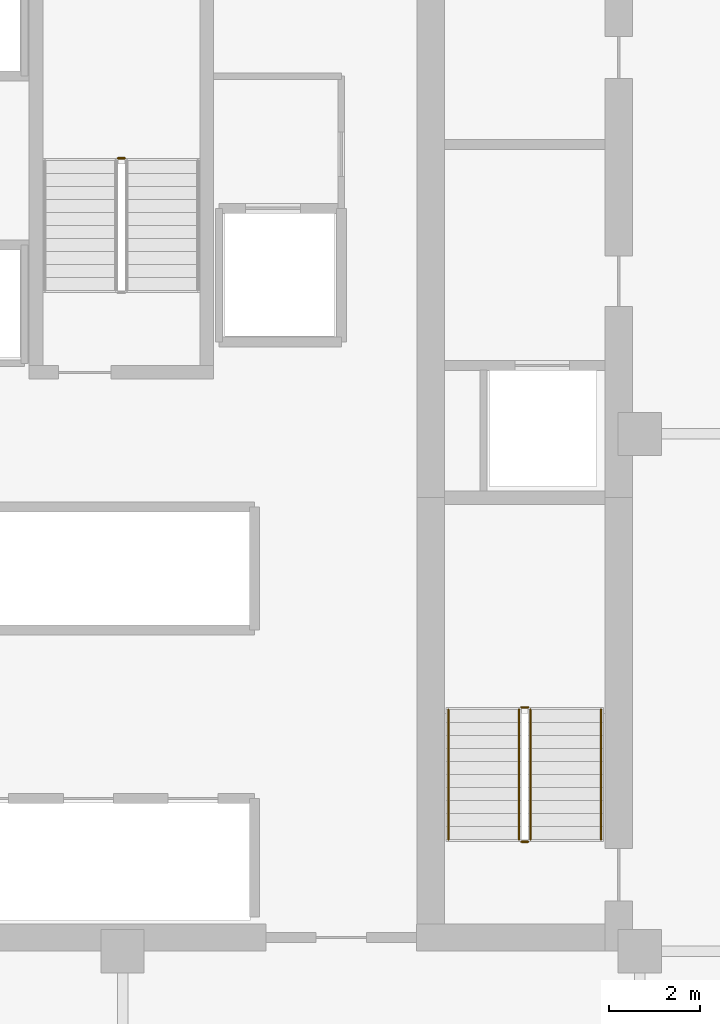
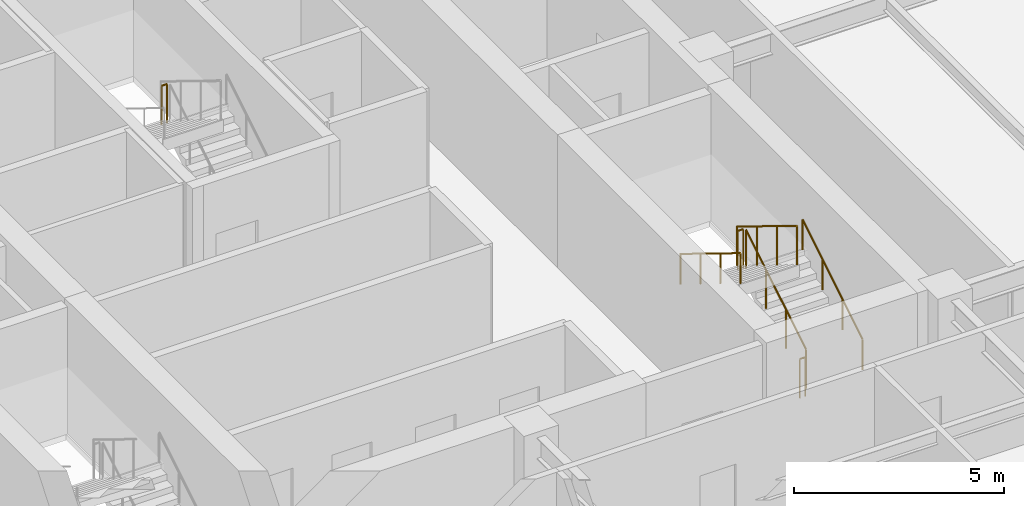
# One storey, part 12 of 12: 7 railings.
"""IFC4 building model written with IfcOpenShell, lengths in metres."""

from ifc_helpers import new_model, si_unit, direction, frame, origin, origin_2d, place, context, subcontext, project, spatial, circle, extrude, material, type_object, element, save


model = new_model("IFC4")

# Units and contexts
model_context = context("Model", 3, precision=1e-05, world=origin(), true_north=direction((0.0, 1.0)))
body_context = subcontext(model_context, "Body", "Model", "MODEL_VIEW")
ifc_project = project(units=[si_unit("LENGTHUNIT", "METRE"), si_unit("AREAUNIT", "SQUARE_METRE"), si_unit("VOLUMEUNIT", "CUBIC_METRE"), si_unit("PLANEANGLEUNIT", "RADIAN"), si_unit("MASSUNIT", "GRAM", prefix="KILO")], contexts=[model_context])

# Site, building, storey
site_placement = place(None, origin())
site = spatial("IfcSite", under=ifc_project, at=site_placement, CompositionType="ELEMENT")
building_placement = place(site_placement, origin())
building = spatial("IfcBuilding", under=site, at=building_placement, Name="Nhamokura Convention Tower", CompositionType="ELEMENT")
storey_placement = place(building_placement, frame((0.0, 0.0, 164.5)))
storey = spatial("IfcBuildingStorey", under=building, at=storey_placement, Name="L40", CompositionType="ELEMENT", Elevation=164.5)

# Railings
ifc_material_1 = material(Name="Anodised bronze stainless steel", Category="steel")
railing_type_1 = type_object("IfcRailingType", Name="StairWallHandrail_900", PredefinedType="HANDRAIL", material=ifc_material_1)
railing_1_placement = place(storey_placement, frame((42.5, 23.10009765625, 0.175048828125)))
element("IfcRailing", 1, at=railing_1_placement, inside=storey, type_object=railing_type_1, Name="L40 ST-02 stair handrail 1", PredefinedType="HANDRAIL", context=body_context, shape_type="SweptSolid", body=[
    extrude(circle(Radius=0.02392578125, at=origin_2d()), frame((0.0, 0.0, 0.8759765625), z_axis=(0.0, 0.852159232446, 0.523282564737), x_axis=(-1.0, 0.0, 0.0)), (0.0, 0.0, 1.0), 3.34423828125),
    extrude(circle(Radius=0.02099609375, at=origin_2d()), origin(), (0.0, 0.0, 1.0), 0.851806640625),
    extrude(circle(Radius=0.02099609375, at=origin_2d()), frame((0.0, 0.949951171875, 0.583251953125)), (0.0, 0.0, 1.0), 0.851806640625),
    extrude(circle(Radius=0.02099609375, at=origin_2d()), frame((0.0, 1.89990234375, 1.166748046875)), (0.0, 0.0, 1.0), 0.851806640625),
    extrude(circle(Radius=0.02099609375, at=origin_2d()), frame((0.0, 2.849853515625, 1.75)), (0.0, 0.0, 1.0), 0.851806640625),
])
railing_2_placement = place(storey_placement, frame((39.14990234375, 25.949951171875, 2.10009765625)))
element("IfcRailing", 2, at=railing_2_placement, inside=storey, type_object=railing_type_1, Name="L40 ST-02 stair handrail 2", PredefinedType="HANDRAIL", context=body_context, shape_type="SweptSolid", body=[
    extrude(circle(Radius=0.02392578125, at=origin_2d()), frame((0.0, 0.0, 0.8759765625), z_axis=(0.0, -0.852159232446, 0.523282564737), x_axis=(1.0, 0.0, 0.0)), (0.0, 0.0, 1.0), 3.34423828125),
    extrude(circle(Radius=0.02099609375, at=origin_2d()), origin(), (0.0, 0.0, 1.0), 0.851806640625),
    extrude(circle(Radius=0.02099609375, at=origin_2d()), frame((0.0, -0.949951171875, 0.583251953125)), (0.0, 0.0, 1.0), 0.851806640625),
    extrude(circle(Radius=0.02099609375, at=origin_2d()), frame((0.0, -1.89990234375, 1.166748046875)), (0.0, 0.0, 1.0), 0.851806640625),
    extrude(circle(Radius=0.02099609375, at=origin_2d()), frame((0.0, -2.849853515625, 1.75)), (0.0, 0.0, 1.0), 0.851806640625),
])
ifc_material_2 = material(Name="Painted tubular steel", Category="steel")
railing_type_2 = type_object("IfcRailingType", Name="StairWellGuardrail_1150", PredefinedType="GUARDRAIL", material=ifc_material_2)
railing_3_placement = place(storey_placement, frame((40.949951171875, 23.10009765625, 0.175048828125)))
element("IfcRailing", 3, at=railing_3_placement, inside=storey, type_object=railing_type_2, Name="L40 ST-02 stair guard 1", PredefinedType="GUARDRAIL", context=body_context, shape_type="SweptSolid", body=[
    extrude(circle(Radius=0.02392578125, at=origin_2d()), frame((0.0, 0.0, 1.1259765625), z_axis=(0.0, 0.852159232446, 0.523282564737), x_axis=(-1.0, 0.0, 0.0)), (0.0, 0.0, 1.0), 3.34423828125),
    extrude(circle(Radius=0.02099609375, at=origin_2d()), origin(), (0.0, 0.0, 1.0), 1.101806640625),
    extrude(circle(Radius=0.02099609375, at=origin_2d()), frame((0.0, 0.949951171875, 0.583251953125)), (0.0, 0.0, 1.0), 1.101806640625),
    extrude(circle(Radius=0.02099609375, at=origin_2d()), frame((0.0, 1.89990234375, 1.166748046875)), (0.0, 0.0, 1.0), 1.101806640625),
    extrude(circle(Radius=0.02099609375, at=origin_2d()), frame((0.0, 2.849853515625, 1.75)), (0.0, 0.0, 1.0), 1.101806640625),
])
railing_4_placement = place(storey_placement, frame((40.89990234375, 26.0, 1.925048828125)))
element("IfcRailing", 4, at=railing_4_placement, inside=storey, type_object=railing_type_2, Name="L40 ST-02 stair guard 2", PredefinedType="GUARDRAIL", context=body_context, shape_type="SweptSolid", body=[
    extrude(circle(Radius=0.02392578125, at=origin_2d()), frame((0.0, 0.0, 1.1259765625), z_axis=(-1.0, 0.0, 0.0), x_axis=(0.0, -1.0, 0.0)), (0.0, 0.0, 1.0), 0.14990234375),
    extrude(circle(Radius=0.02099609375, at=origin_2d()), origin(), (0.0, 0.0, 1.0), 1.101806640625),
    extrude(circle(Radius=0.02099609375, at=origin_2d()), frame((-0.14990234375, 0.0, 0.0)), (0.0, 0.0, 1.0), 1.101806640625),
])
railing_5_placement = place(storey_placement, frame((40.699951171875, 25.949951171875, 2.10009765625)))
element("IfcRailing", 5, at=railing_5_placement, inside=storey, type_object=railing_type_2, Name="L40 ST-02 stair guard 3", PredefinedType="GUARDRAIL", context=body_context, shape_type="SweptSolid", body=[
    extrude(circle(Radius=0.02392578125, at=origin_2d()), frame((0.0, 0.0, 1.1259765625), z_axis=(0.0, -0.852159232446, 0.523282564737), x_axis=(1.0, 0.0, 0.0)), (0.0, 0.0, 1.0), 3.34423828125),
    extrude(circle(Radius=0.02099609375, at=origin_2d()), origin(), (0.0, 0.0, 1.0), 1.101806640625),
    extrude(circle(Radius=0.02099609375, at=origin_2d()), frame((0.0, -0.949951171875, 0.583251953125)), (0.0, 0.0, 1.0), 1.101806640625),
    extrude(circle(Radius=0.02099609375, at=origin_2d()), frame((0.0, -1.89990234375, 1.166748046875)), (0.0, 0.0, 1.0), 1.101806640625),
    extrude(circle(Radius=0.02099609375, at=origin_2d()), frame((0.0, -2.849853515625, 1.75)), (0.0, 0.0, 1.0), 1.101806640625),
])
railing_6_placement = place(storey_placement, frame((40.89990234375, 23.050048828125, 0.0)))
element("IfcRailing", 6, at=railing_6_placement, inside=storey, type_object=railing_type_2, Name="L40 ST-02 stair guard 4", PredefinedType="GUARDRAIL", context=body_context, shape_type="SweptSolid", body=[
    extrude(circle(Radius=0.02392578125, at=origin_2d()), frame((0.0, 0.0, 1.1259765625), z_axis=(-1.0, 0.0, 0.0), x_axis=(0.0, -1.0, 0.0)), (0.0, 0.0, 1.0), 0.14990234375),
    extrude(circle(Radius=0.02099609375, at=origin_2d()), origin(), (0.0, 0.0, 1.0), 1.101806640625),
    extrude(circle(Radius=0.02099609375, at=origin_2d()), frame((-0.14990234375, 0.0, 0.0)), (0.0, 0.0, 1.0), 1.101806640625),
])
railing_7_placement = place(storey_placement, frame((32.050048828125, 38.050048828125, 1.925048828125)))
element("IfcRailing", 7, at=railing_7_placement, inside=storey, type_object=railing_type_2, Name="L40 ST-03 stair guard 2", PredefinedType="GUARDRAIL", context=body_context, shape_type="SweptSolid", body=[
    extrude(circle(Radius=0.02392578125, at=origin_2d()), frame((0.0, 0.0, 1.1259765625), z_axis=(-1.0, 0.0, 0.0), x_axis=(0.0, -1.0, 0.0)), (0.0, 0.0, 1.0), 0.150146484375),
    extrude(circle(Radius=0.02099609375, at=origin_2d()), origin(), (0.0, 0.0, 1.0), 1.101806640625),
    extrude(circle(Radius=0.02099609375, at=origin_2d()), frame((-0.150146484375, 0.0, 0.0)), (0.0, 0.0, 1.0), 1.101806640625),
])

save(model, "model.ifc")
